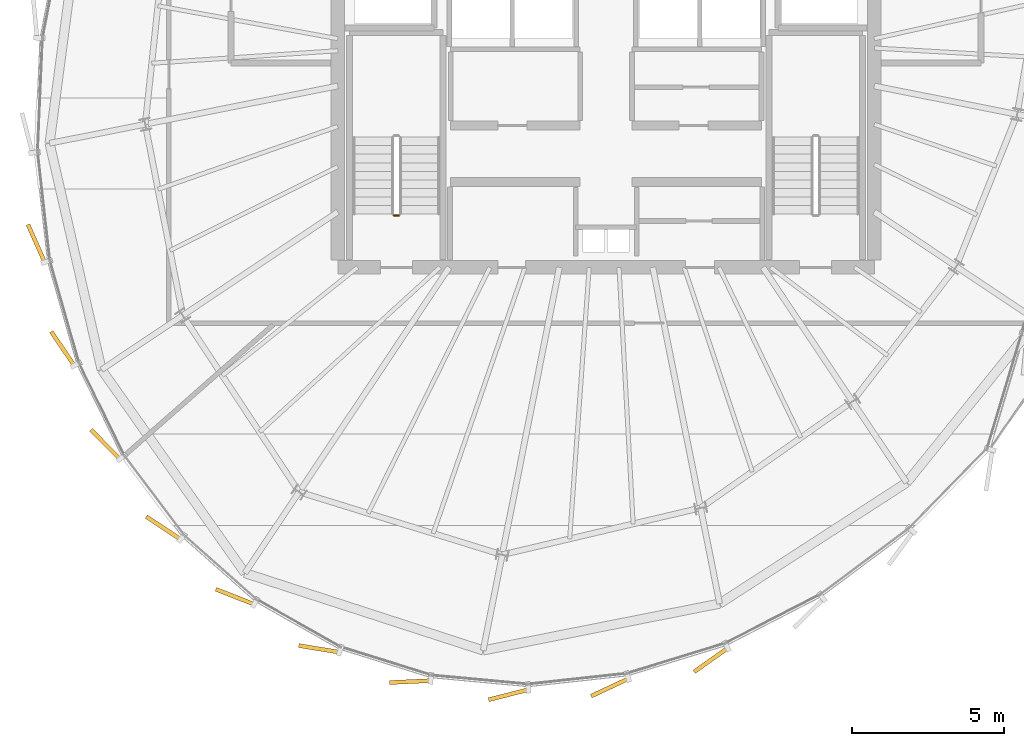
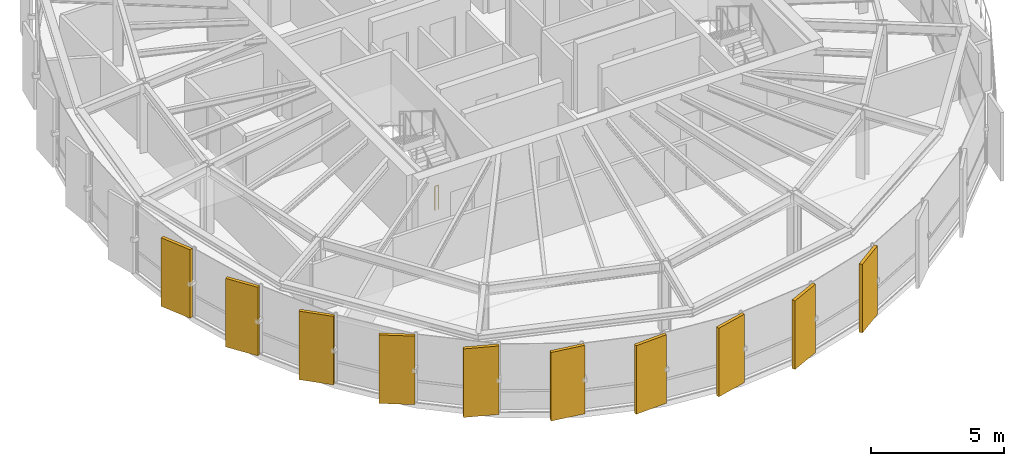
# One storey, part 28 of 31: 10 coverings, 1 railing.
"""IFC4 building model written with IfcOpenShell, lengths in metres."""

import ifcopenshell
import ifcopenshell.guid

model = None  # the IFC model being written
_history = None  # IfcOwnerHistory: only IFC2X3 demands one
_inside = {}  # id of a spatial element -> (the spatial element, [elements in it])
_under = {}  # id of a project, library or spatial element -> (it, [spatial elements below it])
_declared = {}  # id of a project -> (the project, [libraries it declares])
_typed = {}  # id of a type object -> (the type object, [elements of that type])
_made_of = {}  # id of a material, layer set ... -> (it, [elements and type objects made of it])


def new_model(schema):
    """Start an empty IFC model of exactly this schema.

    Asked for "IFC4X3", IfcOpenShell would pick the latest addendum, in which some entities
    have other attributes; the version numbers below select the first issue.
    IFC2X3 requires an IfcOwnerHistory on every rooted entity: one is made here for all.
    """
    global model, _history
    if schema == "IFC4X3":
        model = ifcopenshell.file(schema_version=(4, 3, 0, 0))
    else:
        model = ifcopenshell.file(schema=schema)
    _inside.clear()
    _under.clear()
    _declared.clear()
    _typed.clear()
    _made_of.clear()
    _history = None
    if model.schema == "IFC2X3":
        org = make("IfcOrganization", Name="unknown")
        user = make(
            "IfcPersonAndOrganization",
            ThePerson=make("IfcPerson", FamilyName="unknown"),
            TheOrganization=org,
        )
        app = make(
            "IfcApplication",
            ApplicationDeveloper=org,
            Version="unknown",
            ApplicationFullName="unknown",
            ApplicationIdentifier="unknown",
        )
        _history = make(
            "IfcOwnerHistory",
            OwningUser=user,
            OwningApplication=app,
            ChangeAction="ADDED",
            CreationDate=0,
        )
    return model


def make(cls, **values):
    """One entity of the class cls with the attributes given. An attribute that is None is left unset."""
    return model.create_entity(
        cls, **{name: value for name, value in values.items() if value is not None}
    )


def rooted(cls, **values):
    """An entity with a GlobalId (a new one), such as an element, a storey or a relation."""
    return make(cls, GlobalId=ifcopenshell.guid.new(), OwnerHistory=_history, **values)


def si_unit(unit_type, name, prefix=None):
    """IfcSIUnit, for example si_unit("LENGTHUNIT", "METRE", prefix="MILLI")."""
    return make("IfcSIUnit", UnitType=unit_type, Prefix=prefix, Name=name)


def assignment(units):
    """IfcUnitAssignment: the units of a project."""
    return None if units is None else make("IfcUnitAssignment", Units=units)


def point(xyz):
    """IfcCartesianPoint."""
    return None if xyz is None else make("IfcCartesianPoint", Coordinates=xyz)


def direction(xyz):
    """IfcDirection."""
    return None if xyz is None else make("IfcDirection", DirectionRatios=xyz)


def frame(location, z_axis=None, x_axis=None):
    """IfcAxis2Placement3D, a coordinate frame: its origin and axes. An axis left out is left unset."""
    return make(
        "IfcAxis2Placement3D",
        Location=point(location),
        Axis=direction(z_axis),
        RefDirection=direction(x_axis),
    )


def frame_2d(location, x_axis=None):
    """IfcAxis2Placement2D, a coordinate frame in the plane: its origin and x axis."""
    return make(
        "IfcAxis2Placement2D", Location=point(location), RefDirection=direction(x_axis)
    )


def origin():
    """The frame at (0, 0, 0) with its axes left unset."""
    return frame((0.0, 0.0, 0.0))


def origin_2d():
    """The frame at (0, 0) in the plane with its x axis left unset."""
    return frame_2d((0.0, 0.0))


def place(relative_to, where):
    """IfcLocalPlacement: puts the frame where relative to a parent placement (None: the world)."""
    return make(
        "IfcLocalPlacement", PlacementRelTo=relative_to, RelativePlacement=where
    )


def context(
    kind, dimensions, precision=None, world=None, true_north=None, identifier=None
):
    """IfcGeometricRepresentationContext, for example the 3D "Model" context."""
    return make(
        "IfcGeometricRepresentationContext",
        ContextIdentifier=identifier,
        ContextType=kind,
        CoordinateSpaceDimension=dimensions,
        Precision=precision,
        WorldCoordinateSystem=world,
        TrueNorth=true_north,
    )


def subcontext(parent, identifier, kind, view, scale=None):
    """IfcGeometricRepresentationSubContext, for example "Body" below "Model"."""
    return make(
        "IfcGeometricRepresentationSubContext",
        ContextIdentifier=identifier,
        ContextType=kind,
        ParentContext=parent,
        TargetScale=scale,
        TargetView=view,
    )


def project(units=None, contexts=None):
    """IfcProject with its units and contexts."""
    return rooted(
        "IfcProject",
        Name="project",
        RepresentationContexts=contexts,
        UnitsInContext=assignment(units),
    )


def spatial(cls, under=None, at=None, **own):
    """A site, building, storey or space (cls), placed at a placement, below another one or the project."""
    s = rooted(cls, ObjectPlacement=at, **own)
    if under is not None:
        _under.setdefault(under.id(), (under, []))[1].append(s)
    return s


def profile(cls, at=None, kind="AREA", **sizes):
    """A parametric profile (cls). Its sizes go by their IFC names, for example OverallWidth=200.0."""
    return make(cls, ProfileType=kind, Position=at, **sizes)


def rectangle(**sizes):
    """IfcRectangleProfileDef."""
    return profile("IfcRectangleProfileDef", **sizes)


def circle(**sizes):
    """IfcCircleProfileDef."""
    return profile("IfcCircleProfileDef", **sizes)


def extrude(swept, where, along, depth):
    """IfcExtrudedAreaSolid: the profile swept, set in the frame where, extruded along a direction by depth."""
    return make(
        "IfcExtrudedAreaSolid",
        SweptArea=swept,
        Position=where,
        ExtrudedDirection=direction(along),
        Depth=depth,
    )


def shape(context_of_items, identifier, shape_type, items):
    """IfcShapeRepresentation: the items that make up one representation, for example the "Body"."""
    return make(
        "IfcShapeRepresentation",
        ContextOfItems=context_of_items,
        RepresentationIdentifier=identifier,
        RepresentationType=shape_type,
        Items=items,
    )


def source(mapping_origin, context_of_items, identifier, shape_type, items):
    """IfcRepresentationMap: a shape defined once, which mapped items show again and again."""
    return make(
        "IfcRepresentationMap",
        MappingOrigin=mapping_origin,
        MappedRepresentation=shape(context_of_items, identifier, shape_type, items),
    )


def transform(
    local_origin,
    x_axis=None,
    y_axis=None,
    z_axis=None,
    scale=None,
    scale2=None,
    scale3=None,
    uniform=True,
):
    """IfcCartesianTransformationOperator3D, or its non-uniform kind. x_axis, y_axis, z_axis: its Axis1, 2, 3."""
    if uniform:
        return make(
            "IfcCartesianTransformationOperator3D",
            Axis1=direction(x_axis),
            Axis2=direction(y_axis),
            LocalOrigin=point(local_origin),
            Scale=scale,
            Axis3=direction(z_axis),
        )
    return make(
        "IfcCartesianTransformationOperator3DnonUniform",
        Axis1=direction(x_axis),
        Axis2=direction(y_axis),
        LocalOrigin=point(local_origin),
        Scale=scale,
        Axis3=direction(z_axis),
        Scale2=scale2,
        Scale3=scale3,
    )


def mapped(mapping_source, mapping_target):
    """IfcMappedItem: shows the shape of a source again, moved by a transform."""
    return make(
        "IfcMappedItem", MappingSource=mapping_source, MappingTarget=mapping_target
    )


def material(Name=None, Category=None):
    """IfcMaterial."""
    return make("IfcMaterial", Name=Name, Category=Category)


def layer(
    of_material, thickness, ventilated=None, Name=None, Category=None, Priority=None
):
    """IfcMaterialLayer: one layer of a wall or slab, of a material (None: an air gap)."""
    return make(
        "IfcMaterialLayer",
        Material=of_material,
        LayerThickness=thickness,
        IsVentilated=ventilated,
        Name=Name,
        Category=Category,
        Priority=Priority,
    )


def layer_set(layers, Name=None):
    """IfcMaterialLayerSet."""
    return make("IfcMaterialLayerSet", MaterialLayers=layers, LayerSetName=Name)


def made_of(thing, what):
    """Note that an element or type object is made of a material, layer set ...; save() writes the relation."""
    if what is not None:
        _made_of.setdefault(what.id(), (what, []))[1].append(thing)
    return thing


def type_object(cls, material=None, **own):
    """A type object (cls), such as IfcWallType, which elements share."""
    return made_of(rooted(cls, **own), material)


def element(
    cls,
    number,
    at=None,
    inside=None,
    cuts=None,
    type_object=None,
    material=None,
    context=None,
    identifier="Body",
    shape_type=None,
    held_by="IfcProductDefinitionShape",
    body=None,
    shapes=None,
    **own,
):
    """One element of the class cls, such as IfcWall. Its Tag is "e" and its number.

    at: its placement. inside: the storey or other place that contains it. cuts: it is an
    opening in that element (IfcRelVoidsElement). A single representation is given by context,
    identifier, shape_type and body (its items); several are given by shapes. held_by: the class
    of the entity that holds the representations. save() writes the other relations.
    """
    e = rooted(cls, Tag="e%d" % number, ObjectPlacement=at, **own)
    if body is not None:
        shapes = [shape(context, identifier, shape_type, body)]
    if shapes is not None:
        e.Representation = make(held_by, Representations=shapes)
    if inside is not None:
        _inside.setdefault(inside.id(), (inside, []))[1].append(e)
    if cuts is not None:
        rooted(
            "IfcRelVoidsElement", RelatingBuildingElement=cuts, RelatedOpeningElement=e
        )
    if type_object is not None:
        _typed.setdefault(type_object.id(), (type_object, []))[1].append(e)
    return made_of(e, material)


def aggregate(whole, parts):
    """IfcRelAggregates: a whole, such as a stair, and the parts it consists of."""
    return rooted("IfcRelAggregates", RelatingObject=whole, RelatedObjects=parts)


def save(model, path):
    """Write the relations noted so far, then the file.

    IfcRelAggregates (storeys below a building ...), IfcRelContainedInSpatialStructure (elements
    in a storey), IfcRelDefinesByType, IfcRelAssociatesMaterial and IfcRelDeclares: one each for
    every whole, place, type object, material and project.
    """
    for whole, parts in _under.values():
        aggregate(whole, parts)
    for where, things in _inside.values():
        rooted(
            "IfcRelContainedInSpatialStructure",
            RelatedElements=things,
            RelatingStructure=where,
        )
    for kind, things in _typed.values():
        rooted("IfcRelDefinesByType", RelatedObjects=things, RelatingType=kind)
    for what, things in _made_of.values():
        rooted("IfcRelAssociatesMaterial", RelatedObjects=things, RelatingMaterial=what)
    for by, libraries in _declared.values():
        rooted("IfcRelDeclares", RelatingContext=by, RelatedDefinitions=libraries)
    model.write(path)


model = new_model("IFC4")

# Units and contexts
model_context = context("Model", 3, precision=1e-05, world=origin(), true_north=direction((0.0, 1.0)))
body_context = subcontext(model_context, "Body", "Model", "MODEL_VIEW")
ifc_project = project(units=[si_unit("LENGTHUNIT", "METRE"), si_unit("AREAUNIT", "SQUARE_METRE"), si_unit("VOLUMEUNIT", "CUBIC_METRE"), si_unit("PLANEANGLEUNIT", "RADIAN"), si_unit("MASSUNIT", "GRAM", prefix="KILO"), si_unit("THERMODYNAMICTEMPERATUREUNIT", "KELVIN")], contexts=[model_context])

# Site, building, storey
site_placement = place(None, origin())
site = spatial("IfcSite", under=ifc_project, at=site_placement, CompositionType="ELEMENT")
building_placement = place(site_placement, origin())
building = spatial("IfcBuilding", under=site, at=building_placement, Name="Kethvar Cultural Tower", CompositionType="ELEMENT")
storey_placement = place(building_placement, frame((0.0, 0.0, 300.85009765625)))
storey = spatial("IfcBuildingStorey", under=building, at=storey_placement, Name="L80", CompositionType="ELEMENT", Elevation=300.85009765625)

# Railing
ifc_material_1 = material(Name="Steel S355J2", Category="steel")
railing_type = type_object("IfcRailingType", Name="RL-STAIR-GUARD", PredefinedType="BALUSTRADE", material=ifc_material_1)
railing_placement = place(storey_placement, frame((40.0, 21.800048828125, 0.0)))
element("IfcRailing", 1, at=railing_placement, inside=storey, type_object=railing_type, Name="L80 ST-01 stair guard 4", PredefinedType="BALUSTRADE", context=body_context, shape_type="SweptSolid", body=[
    extrude(circle(Radius=0.02392578125, at=origin_2d()), frame((0.0, 0.0, 1.09619140625), z_axis=(-1.0, 0.0, 0.0), x_axis=(0.0, -1.0, 0.0)), (0.0, 0.0, 1.0), 0.159912109375),
    extrude(circle(Radius=0.02099609375, at=origin_2d()), origin(), (0.0, 0.0, 1.0), 1.072021484375),
    extrude(circle(Radius=0.02099609375, at=origin_2d()), frame((-0.159912109375, 0.0, 0.0)), (0.0, 0.0, 1.0), 1.072021484375),
])

# Coverings
ifc_material_2 = material(Name="Extruded Architectural Terracotta", Category="masonry")
ifc_layer = layer(ifc_material_2, 0.135009765625, Name="Extruded Architectural Terracotta", Category="masonry")
ifc_layer_set = layer_set([ifc_layer], Name="Extruded Architectural Terracotta (135 mm)")
covering_type = type_object("IfcCoveringType", Name="Terracotta Facade Fin FIN-03", PredefinedType="CLADDING", material=ifc_layer_set)
shared_shape = source(origin(), body_context, "Body", "SweptSolid", [
    extrude(rectangle(XDim=1.35009765625, YDim=0.135009765625, at=origin_2d()), origin(), (0.0, 0.0, 1.0), 3.14501953125),
])
for number, where, z_axis, x_axis, name in (
    (2, (28.110107421875, 20.8857421875, 0.019775390625), (0.0, 0.0, 1.0), (-0.405779757666, 0.913970890274, 0.0), "L80 Vertical Terracotta Fin 3.2"),
    (3, (28.97607421875, 17.43505859375, 0.019775390625), (0.0, 0.0, 1.0), (-0.560638994563, 0.828060334622, 0.0), "L80 Vertical Terracotta Fin 3.3"),
    (4, (30.378662109375, 14.2919921875, 0.019775390625), (0.0, 0.0, 1.0), (-0.70673644403, 0.707476924486, 0.0), "L80 Vertical Terracotta Fin 3.4"),
    (5, (32.27978515625, 11.550048828125, 0.019775390625), (0.0, 0.0, 1.0), (-0.833885822067, 0.551936985312, 0.0), "L80 Vertical Terracotta Fin 3.5"),
    (6, (34.62646484375, 9.293212890625, 0.019775390625), (0.0, 0.0, 1.0), (-0.930481520342, 0.366338832643, 0.0), "L80 Vertical Terracotta Fin 3.6"),
    (7, (37.385986328125, 7.58349609375, 0.019775390625), (0.0, 0.0, 1.0), (-0.986827496189, 0.161776057456, 0.0), "L80 Vertical Terracotta Fin 4.1"),
    (8, (40.374267578125, 6.510498046875, 0.019775390625), (0.0, 0.0, 1.0), (-0.998889874962, -0.04710645071, 0.0), "L80 Vertical Terracotta Fin 4.2"),
    (9, (43.59912109375, 6.080810546875, 0.019775390625), (0.0, 0.0, 1.0), (-0.969316774365, -0.245814952628, 0.0), "L80 Vertical Terracotta Fin 4.3"),
    (10, (46.923095703125, 6.3203125, 0.019775390625), (0.0, 0.0, 1.0), (-0.905568799011, -0.424199422745, 0.0), "L80 Vertical Terracotta Fin 4.4"),
    (11, (50.240966796875, 7.220458984375, 0.019775390625), (0.0, 0.0, 1.0), (-0.816540811886, -0.577287712086, 0.0), "L80 Vertical Terracotta Fin 4.5"),
):
    element("IfcCovering", number, at=place(storey_placement, frame(where, z_axis=z_axis, x_axis=x_axis)), inside=storey, type_object=covering_type, Name=name, PredefinedType="CLADDING", context=body_context, shape_type="MappedRepresentation", body=[
        mapped(shared_shape, transform((0.0, 0.0, 0.0), scale=1.0)),
    ])

save(model, "model.ifc")
